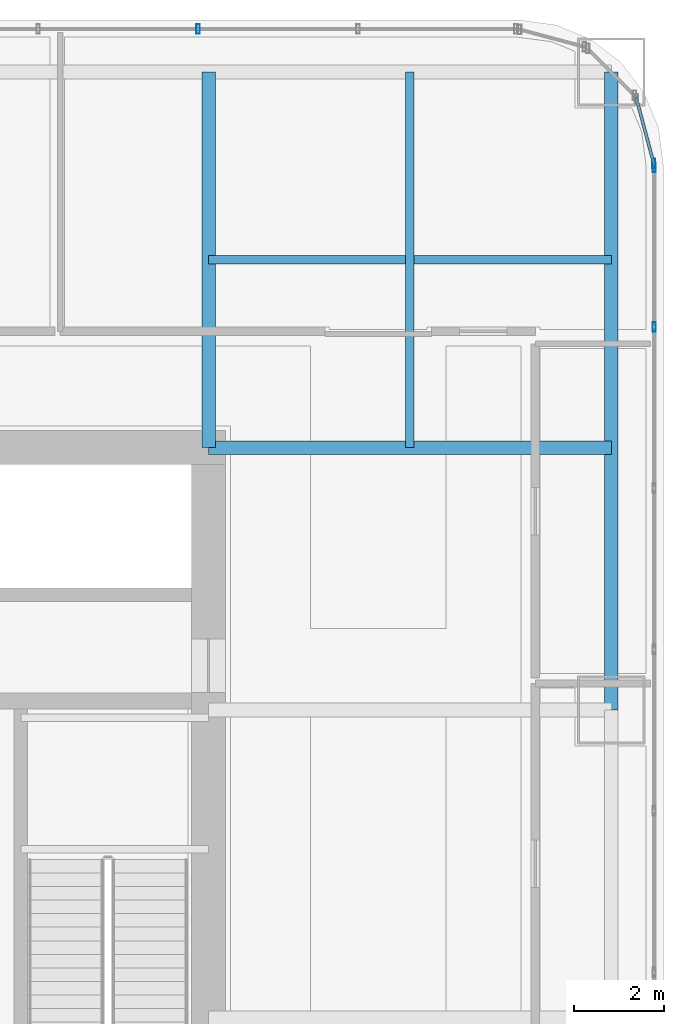
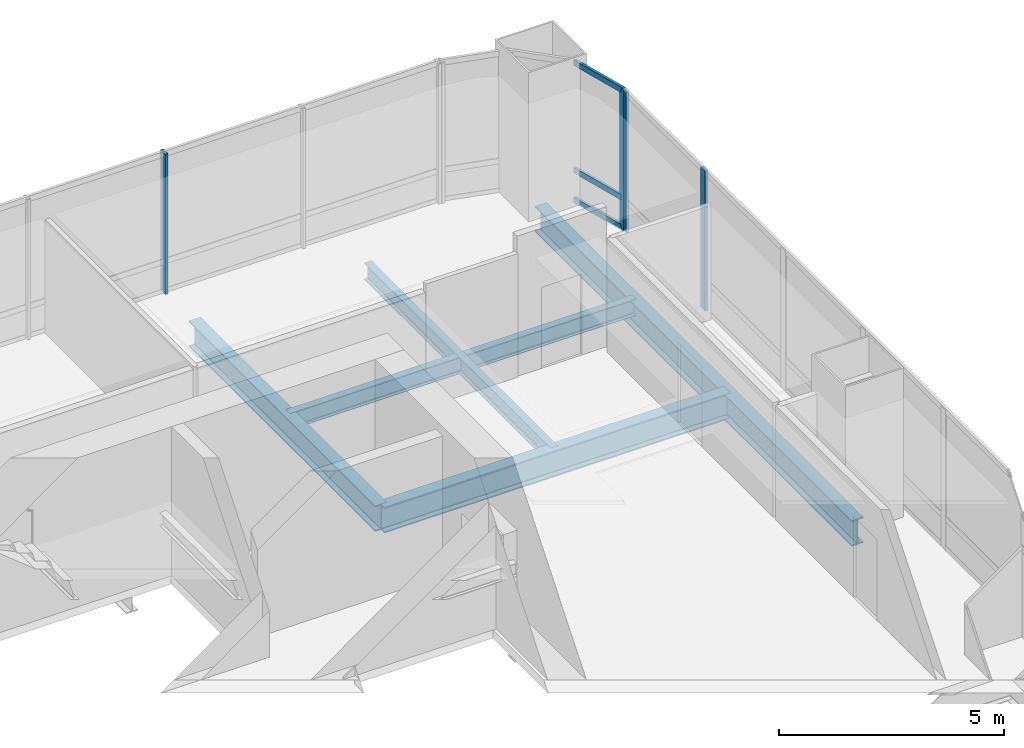
# One storey, part 24 of 36: 7 members, 5 beams, 3 elements without a shape of their own.
"""IFC4 building model written with IfcOpenShell, lengths in metres."""

from ifc_helpers import new_model, si_unit, direction, frame, origin, origin_2d, place, context, subcontext, project, spatial, hollow_rectangle, i_section, extrude, material, material_profile, profile_set, type_object, element, aggregate, save


model = new_model("IFC4")

# Units and contexts
model_context = context("Model", 3, precision=1e-05, world=origin(), true_north=direction((0.0, 1.0)))
body_context = subcontext(model_context, "Body", "Model", "MODEL_VIEW")
ifc_project = project(units=[si_unit("LENGTHUNIT", "METRE"), si_unit("AREAUNIT", "SQUARE_METRE"), si_unit("VOLUMEUNIT", "CUBIC_METRE"), si_unit("PLANEANGLEUNIT", "RADIAN"), si_unit("MASSUNIT", "GRAM", prefix="KILO")], contexts=[model_context])

# Site, building, storey
site_placement = place(None, origin())
site = spatial("IfcSite", under=ifc_project, at=site_placement, CompositionType="ELEMENT")
building_placement = place(site_placement, origin())
building = spatial("IfcBuilding", under=site, at=building_placement, Name="Punatoya Terracotta Tower", CompositionType="ELEMENT")
storey_placement = place(building_placement, frame((0.0, 0.0, 32.25)))
storey = spatial("IfcBuildingStorey", under=building, at=storey_placement, Name="L06", CompositionType="ELEMENT", Elevation=32.25)

# Beams
ifc_material_1 = material(Name="Steel S355", Category="steel")
ifc_material_profile_1 = material_profile(ifc_material_1, i_section(OverallWidth=0.300048828125, OverallDepth=0.699951171875, WebThickness=0.01708984375, FlangeThickness=0.031982421875, FilletRadius=0.01806640625, at=origin_2d()))
ifc_profile_set_1 = profile_set([ifc_material_profile_1], Name="Steel S355")
beam_type_1 = type_object("IfcBeamType", Name="BM-PRI-700", PredefinedType="BEAM", material=ifc_profile_set_1)
beam_1_placement = place(storey_placement, frame((19.10009765625, 3.39990234375, -0.590087890625), z_axis=(0.0, 1.0, 0.0), x_axis=(-1.0, 0.0, 0.0)))
element("IfcBeam", 1, at=beam_1_placement, inside=storey, type_object=beam_type_1, Name="BM-L06-RG-E3", PredefinedType="BEAM", context=body_context, shape_type="SweptSolid", body=[
    extrude(i_section(OverallWidth=0.300048828125, OverallDepth=0.699951171875, WebThickness=0.01708984375, FlangeThickness=0.031982421875, FilletRadius=0.01806640625, at=origin_2d()), origin(), (0.0, 0.0, 1.0), 14.10009765625),
])
beam_2_placement = place(storey_placement, frame((10.199951171875, 9.199951171875, -0.590087890625), z_axis=(1.0, 0.0, 0.0), x_axis=(0.0, 1.0, 0.0)))
element("IfcBeam", 2, at=beam_2_placement, inside=storey, type_object=beam_type_1, Name="BM-L06-PR-EN", PredefinedType="BEAM", context=body_context, shape_type="SweptSolid", body=[
    extrude(i_section(OverallWidth=0.300048828125, OverallDepth=0.699951171875, WebThickness=0.01708984375, FlangeThickness=0.031982421875, FilletRadius=0.01806640625, at=origin_2d()), origin(), (0.0, 0.0, 1.0), 8.900146484375),
])
beam_3_placement = place(storey_placement, frame((10.199951171875, 9.199951171875, -0.590087890625), z_axis=(0.0, 1.0, 0.0), x_axis=(-1.0, 0.0, 0.0)))
element("IfcBeam", 3, at=beam_3_placement, inside=storey, type_object=beam_type_1, Name="BM-L06-PR-N4", PredefinedType="BEAM", context=body_context, shape_type="SweptSolid", body=[
    extrude(i_section(OverallWidth=0.300048828125, OverallDepth=0.699951171875, WebThickness=0.01708984375, FlangeThickness=0.031982421875, FilletRadius=0.01806640625, at=origin_2d()), origin(), (0.0, 0.0, 1.0), 8.300048828125),
])
ifc_material_profile_2 = material_profile(ifc_material_1, i_section(OverallWidth=0.18994140625, OverallDepth=0.449951171875, WebThickness=0.009521484375, FlangeThickness=0.0146484375, FilletRadius=0.01806640625, at=origin_2d()))
ifc_profile_set_2 = profile_set([ifc_material_profile_2], Name="Steel S355")
beam_type_2 = type_object("IfcBeamType", Name="BM-SEC-450", PredefinedType="JOIST", material=ifc_profile_set_2)
beam_4_placement = place(storey_placement, frame((10.199951171875, 13.35009765625, -0.465087890625), z_axis=(1.0, 0.0, 0.0), x_axis=(0.0, 1.0, 0.0)))
element("IfcBeam", 4, at=beam_4_placement, inside=storey, type_object=beam_type_2, Name="BM-L06-SJN-2", PredefinedType="JOIST", context=body_context, shape_type="SweptSolid", body=[
    extrude(i_section(OverallWidth=0.18994140625, OverallDepth=0.449951171875, WebThickness=0.009521484375, FlangeThickness=0.0146484375, FilletRadius=0.01806640625, at=origin_2d()), origin(), (0.0, 0.0, 1.0), 8.900146484375),
])
beam_5_placement = place(storey_placement, frame((14.64990234375, 9.199951171875, -0.465087890625), z_axis=(0.0, 1.0, 0.0), x_axis=(-1.0, 0.0, 0.0)))
element("IfcBeam", 5, at=beam_5_placement, inside=storey, type_object=beam_type_2, Name="BM-L06-SJE-2", PredefinedType="JOIST", context=body_context, shape_type="SweptSolid", body=[
    extrude(i_section(OverallWidth=0.18994140625, OverallDepth=0.449951171875, WebThickness=0.009521484375, FlangeThickness=0.0146484375, FilletRadius=0.01806640625, at=origin_2d()), origin(), (0.0, 0.0, 1.0), 8.300048828125),
])

# Curtain wall, members
ifc_material_2 = material(Name="Aluminium 6063-T6 + Double Low-E Glass", Category="aluminium")
curtain_wall_type = type_object("IfcCurtainWallType", Name="CW-M1", PredefinedType="NOTDEFINED", material=ifc_material_2)
curtain_wall_1_placement = place(storey_placement, origin())
curtain_wall_1 = element("IfcCurtainWall", 6, at=curtain_wall_1_placement, inside=storey, type_object=curtain_wall_type, Name="L06 Curtain Wall CW-L06-E05-1", PredefinedType="NOTDEFINED")
ifc_material_3 = material(Name="Aluminium 6063-T6", Category="aluminium")
ifc_material_profile_3 = material_profile(ifc_material_3, hollow_rectangle(XDim=0.074951171875, YDim=0.2099609375, WallThickness=0.00439453125, at=origin_2d()))
ifc_profile_set_3 = profile_set([ifc_material_profile_3], Name="Aluminium 6063-T6")
member_type_1 = type_object("IfcMemberType", Name="CW-MUL-M1", PredefinedType="MULLION", material=ifc_profile_set_3)
member_1_placement = place(storey_placement, frame((20.050048828125, 11.869384765625, 0.0), z_axis=(0.0, 0.0, 1.0), x_axis=(1.0, 0.0, 0.0)))
member_1 = element("IfcMember", 7, at=member_1_placement, type_object=member_type_1, Name="CW-L06-E05-1 Mullion 09", PredefinedType="MULLION", context=body_context, shape_type="SweptSolid", body=[
    extrude(hollow_rectangle(XDim=0.074951171875, YDim=0.2099609375, WallThickness=0.00439453125, at=origin_2d()), origin(), (0.0, 0.0, 1.0), 3.81005859375),
])
member_2_placement = place(storey_placement, frame((20.050048828125, 15.391845703125, 0.0), z_axis=(0.0, 0.0, 1.0), x_axis=(1.0, 0.0, 0.0)))
member_2 = element("IfcMember", 8, at=member_2_placement, type_object=member_type_1, Name="CW-L06-E05-1 Mullion 10", PredefinedType="MULLION", context=body_context, shape_type="SweptSolid", body=[
    extrude(hollow_rectangle(XDim=0.074951171875, YDim=0.2099609375, WallThickness=0.00439453125, at=origin_2d()), origin(), (0.0, 0.0, 1.0), 3.81005859375),
])
aggregate(curtain_wall_1, [member_1, member_2])

# Curtain wall, member
curtain_wall_2_placement = place(storey_placement, origin())
curtain_wall_2 = element("IfcCurtainWall", 9, at=curtain_wall_2_placement, inside=storey, type_object=curtain_wall_type, Name="L06 Curtain Wall CW-L06-CRN06", PredefinedType="NOTDEFINED")
member_3_placement = place(storey_placement, frame((20.038330078125, 15.48046875, 0.0), z_axis=(0.0, 0.0, 1.0), x_axis=(1.0, 0.0, 0.0)))
member_3 = element("IfcMember", 10, at=member_3_placement, type_object=member_type_1, Name="CW-L06-CRN06 Mullion 00", PredefinedType="MULLION", context=body_context, shape_type="SweptSolid", body=[
    extrude(hollow_rectangle(XDim=0.074951171875, YDim=0.2099609375, WallThickness=0.00439453125, at=origin_2d()), origin(), (0.0, 0.0, 1.0), 3.81005859375),
])

curtain_wall_3_placement = place(storey_placement, origin())
curtain_wall_3 = element("IfcCurtainWall", 11, at=curtain_wall_3_placement, inside=storey, type_object=curtain_wall_type, Name="L06 Curtain Wall CW-L06-N09-1", PredefinedType="NOTDEFINED")
member_4_placement = place(storey_placement, frame((9.968994140625, 18.449951171875, 0.0), z_axis=(0.0, 0.0, 1.0), x_axis=(1.0, 0.0, 0.0)))
member_4 = element("IfcMember", 12, at=member_4_placement, type_object=member_type_1, Name="CW-L06-N09-1 Mullion 02", PredefinedType="MULLION", context=body_context, shape_type="SweptSolid", body=[
    extrude(hollow_rectangle(XDim=0.074951171875, YDim=0.2099609375, WallThickness=0.00439453125, at=origin_2d()), origin(), (0.0, 0.0, 1.0), 3.81005859375),
])
aggregate(curtain_wall_3, [member_4])

# Member
ifc_material_profile_4 = material_profile(ifc_material_3, hollow_rectangle(XDim=0.068115234375, YDim=0.14990234375, WallThickness=0.00390625, at=origin_2d()))
ifc_profile_set_4 = profile_set([ifc_material_profile_4], Name="Aluminium 6063-T6")
member_type_2 = type_object("IfcMemberType", Name="CW-TRN-TYP", PredefinedType="USERDEFINED", material=ifc_profile_set_4)
member_5_placement = place(storey_placement, frame((20.050048828125, 15.43701171875, 0.0400390625), z_axis=(-0.257847112249, 0.966185730957, 0.0), x_axis=(-0.966185730957, -0.257847112249, 0.0)))
member_5 = element("IfcMember", 13, at=member_5_placement, type_object=member_type_2, Name="CW-L06-CRN06 Transom 1", ObjectType="TRANSOM", PredefinedType="USERDEFINED", context=body_context, shape_type="SweptSolid", body=[
    extrude(hollow_rectangle(XDim=0.068115234375, YDim=0.14990234375, WallThickness=0.00390625, at=origin_2d()), origin(), (0.0, 0.0, 1.0), 1.565185546875),
])

member_6_placement = place(storey_placement, frame((20.050048828125, 15.43701171875, 0.85009765625), z_axis=(-0.257847112249, 0.966185730957, 0.0), x_axis=(-0.966185730957, -0.257847112249, 0.0)))
member_6 = element("IfcMember", 14, at=member_6_placement, type_object=member_type_2, Name="CW-L06-CRN06 Transom 2", ObjectType="TRANSOM", PredefinedType="USERDEFINED", context=body_context, shape_type="SweptSolid", body=[
    extrude(hollow_rectangle(XDim=0.068115234375, YDim=0.14990234375, WallThickness=0.00390625, at=origin_2d()), origin(), (0.0, 0.0, 1.0), 1.565185546875),
])

member_7_placement = place(storey_placement, frame((20.050048828125, 15.43701171875, 3.77001953125), z_axis=(-0.257847112249, 0.966185730957, 0.0), x_axis=(-0.966185730957, -0.257847112249, 0.0)))
member_7 = element("IfcMember", 15, at=member_7_placement, type_object=member_type_2, Name="CW-L06-CRN06 Transom 3", ObjectType="TRANSOM", PredefinedType="USERDEFINED", context=body_context, shape_type="SweptSolid", body=[
    extrude(hollow_rectangle(XDim=0.068115234375, YDim=0.14990234375, WallThickness=0.00390625, at=origin_2d()), origin(), (0.0, 0.0, 1.0), 1.565185546875),
])

aggregate(curtain_wall_2, [member_3, member_5, member_6, member_7])

save(model, "model.ifc")
